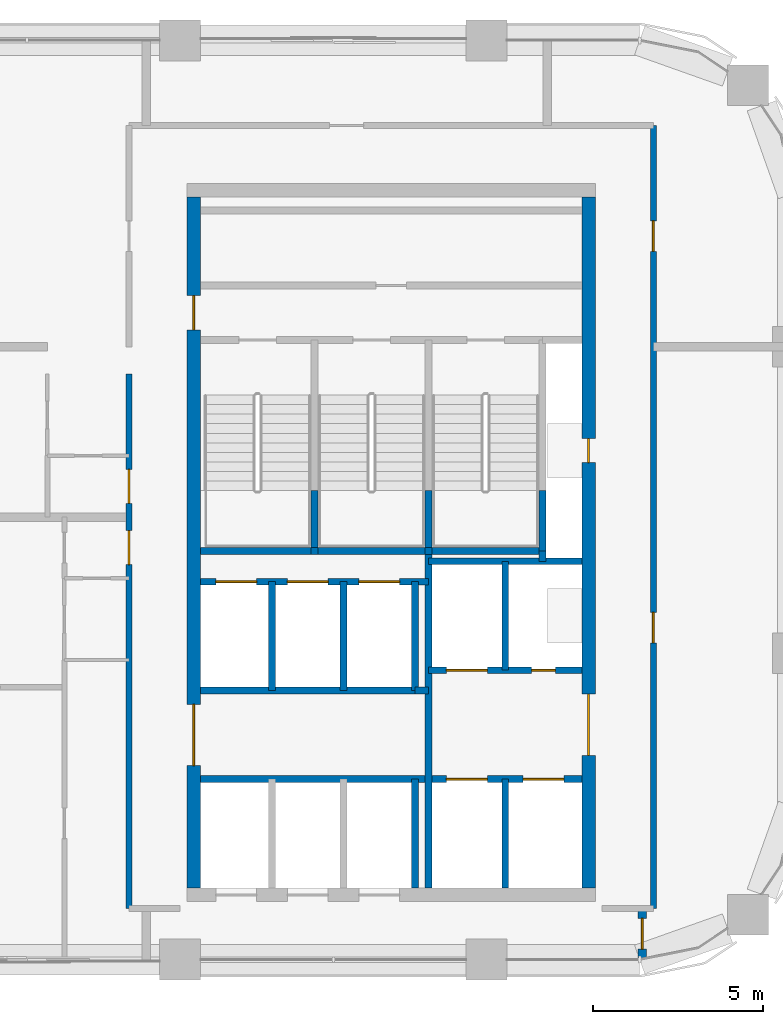
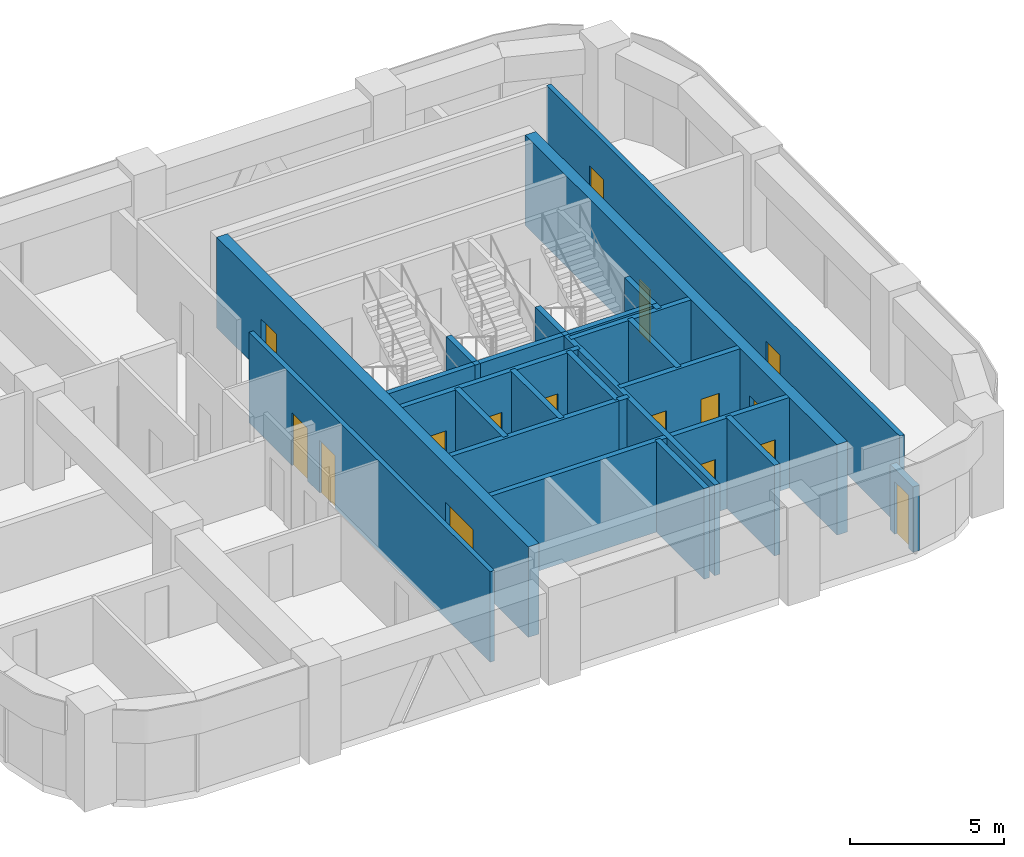
# One storey, part 8 of 10: 27 walls, 16 doors, 16 openings.
"""IFC4 building model written with IfcOpenShell, lengths in metres."""

from ifc_helpers import new_model, si_unit, direction, frame, frame_2d, origin, place, context, subcontext, project, spatial, rectangle, extrude, material, layer, layer_set, type_object, element, fill, save


model = new_model("IFC4")

# Units and contexts
model_context = context("Model", 3, precision=1e-05, world=origin(), true_north=direction((0.0, 1.0)))
body_context = subcontext(model_context, "Body", "Model", "MODEL_VIEW")
ifc_project = project(units=[si_unit("LENGTHUNIT", "METRE"), si_unit("AREAUNIT", "SQUARE_METRE"), si_unit("VOLUMEUNIT", "CUBIC_METRE"), si_unit("PLANEANGLEUNIT", "RADIAN"), si_unit("MASSUNIT", "GRAM", prefix="KILO")], contexts=[model_context])

# Site, building, storey
site_placement = place(None, origin())
site = spatial("IfcSite", under=ifc_project, at=site_placement, CompositionType="ELEMENT")
building_placement = place(site_placement, origin())
building = spatial("IfcBuilding", under=site, at=building_placement, Name="Tessera Arch", CompositionType="ELEMENT")
storey_placement = place(building_placement, frame((0.0, 0.0, 254.0)))
storey = spatial("IfcBuildingStorey", under=building, at=storey_placement, Name="L61", CompositionType="ELEMENT", Elevation=254.0)

# Wall
ifc_material_1 = material(Name="Gypsum board on steel stud", Category="steel")
ifc_layer_1 = layer(ifc_material_1, 0.125)
ifc_layer_set_1 = layer_set([ifc_layer_1], Name="Core partition 125 EI 60")
wall_type_1 = type_object("IfcWallType", Name="Core partition 125 EI 60", PredefinedType="PARTITIONING", material=ifc_layer_set_1)
wall_1_placement = place(storey_placement, frame((42.89990234375, 34.89990234375, 0.0), z_axis=(0.0, 0.0, 1.0), x_axis=(1.0, 0.0, 0.0)))
element("IfcWall", 1, at=wall_1_placement, inside=storey, type_object=wall_type_1, Name="L61 C1 partition wall 18", PredefinedType="PARTITIONING", context=body_context, shape_type="SweptSolid", body=[
    extrude(rectangle(XDim=0.400146484375, YDim=0.199951171875, at=frame_2d((0.2001953125, 0.0))), origin(), (0.0, 0.0, 1.0), 3.60009765625),
])

# Wall, openings, doors
ifc_material_2 = material(Name="Concrete C50/60", Category="concrete")
ifc_layer_2 = layer(ifc_material_2, 0.39990234375)
ifc_layer_set_2 = layer_set([ifc_layer_2], Name="Core shell wall 400 C50-60")
wall_type_2 = type_object("IfcWallType", Name="Core shell wall 400 C50-60", PredefinedType="SHEAR", material=ifc_layer_set_2)
wall_2_placement = place(storey_placement, frame((36.39990234375, 29.10009765625, 0.0), z_axis=(0.0, 0.0, 1.0), x_axis=(0.0, 1.0, 0.0)))
wall_2 = element("IfcWall", 2, at=wall_2_placement, inside=storey, type_object=wall_type_2, Name="L61 C1 core wall W", PredefinedType="SHEAR", context=body_context, shape_type="SweptSolid", body=[
    extrude(rectangle(XDim=20.2998046875, YDim=0.39990234375, at=frame_2d((10.14990234375, 0.0))), origin(), (0.0, 0.0, 1.0), 3.60009765625),
])
opening_1_placement = place(wall_2_placement, frame((3.60009765625, 0.0, 0.0)))
opening_1 = element("IfcOpeningElement", 3, at=opening_1_placement, cuts=wall_2, Name="Opening L61-C10", PredefinedType="OPENING", context=body_context, shape_type="SweptSolid", body=[
    extrude(rectangle(XDim=1.800048828125, YDim=2.10009765625, at=frame_2d((0.89990234375, 1.050048828125))), frame((0.0, 0.2099609375, 0.0), z_axis=(0.0, -1.0, 0.0), x_axis=(1.0, 0.0, 0.0)), (0.0, 0.0, 1.0), 0.419921875),
])
opening_2_placement = place(wall_2_placement, frame((16.39990234375, 0.0, 0.0)))
opening_2 = element("IfcOpeningElement", 4, at=opening_2_placement, cuts=wall_2, Name="Opening L61-C17", PredefinedType="OPENING", context=body_context, shape_type="SweptSolid", body=[
    extrude(rectangle(XDim=1.0, YDim=2.10009765625, at=frame_2d((0.5, 1.050048828125))), frame((0.0, 0.2099609375, 0.0), z_axis=(0.0, -1.0, 0.0), x_axis=(1.0, 0.0, 0.0)), (0.0, 0.0, 1.0), 0.419921875),
])
ifc_material_3 = material(Name="Steel door leaf", Category="steel")
door_type_1 = type_object("IfcDoorType", Name="Corridor door FD60 1000 x 2100", OperationType="SINGLE_SWING_LEFT", PredefinedType="DOOR", material=ifc_material_3)
door_1_placement = place(opening_2_placement, origin())
door_1 = element("IfcDoor", 5, at=door_1_placement, inside=storey, type_object=door_type_1, Name="L61 C1 door 17 C17 type D12", OperationType="SINGLE_SWING_RIGHT", OverallHeight=2.10009765625, OverallWidth=1.0, PredefinedType="DOOR", context=body_context, shape_type="SweptSolid", body=[
    extrude(rectangle(XDim=1.0, YDim=2.10009765625, at=frame_2d((0.5, 1.050048828125))), frame((0.0, 0.02490234375, 0.0), z_axis=(0.0, -1.0, 0.0), x_axis=(1.0, 0.0, 0.0)), (0.0, 0.0, 1.0), 0.050048828125),
])
fill(opening_2, door_1)
ifc_material_4 = material(Name="Glazed steel door leaf", Category="steel")
door_type_2 = type_object("IfcDoorType", Name="Lobby double door FD30S 1800 x 2100", OperationType="DOUBLE_DOOR_SINGLE_SWING", PredefinedType="DOOR", material=ifc_material_4)
door_2_placement = place(opening_1_placement, origin())
door_2 = element("IfcDoor", 6, at=door_2_placement, inside=storey, type_object=door_type_2, Name="L61 C1 door 10 C10 type D06", OperationType="DOUBLE_DOOR_SINGLE_SWING", OverallHeight=2.10009765625, OverallWidth=1.800048828125, PredefinedType="DOOR", context=body_context, shape_type="SweptSolid", body=[
    extrude(rectangle(XDim=1.800048828125, YDim=2.10009765625, at=frame_2d((0.89990234375, 1.050048828125))), frame((0.0, 0.02490234375, 0.0), z_axis=(0.0, -1.0, 0.0), x_axis=(1.0, 0.0, 0.0)), (0.0, 0.0, 1.0), 0.050048828125),
])
fill(opening_1, door_2)

wall_3_placement = place(storey_placement, frame((48.0, 29.10009765625, 0.0), z_axis=(0.0, 0.0, 1.0), x_axis=(0.0, 1.0, 0.0)))
wall_3 = element("IfcWall", 7, at=wall_3_placement, inside=storey, type_object=wall_type_2, Name="L61 C1 core wall E", PredefinedType="SHEAR", context=body_context, shape_type="SweptSolid", body=[
    extrude(rectangle(XDim=20.2998046875, YDim=0.39990234375, at=frame_2d((10.14990234375, 0.0))), origin(), (0.0, 0.0, 1.0), 3.60009765625),
])
opening_3_placement = place(wall_3_placement, frame((12.5, 0.0, 0.0)))
opening_3 = element("IfcOpeningElement", 8, at=opening_3_placement, cuts=wall_3, Name="Opening L61-C14", PredefinedType="OPENING", context=body_context, shape_type="SweptSolid", body=[
    extrude(rectangle(XDim=0.699951171875, YDim=2.10009765625, at=frame_2d((0.35009765625, 1.050048828125))), frame((0.0, 0.2099609375, 0.0), z_axis=(0.0, -1.0, 0.0), x_axis=(1.0, 0.0, 0.0)), (0.0, 0.0, 1.0), 0.419921875),
])
opening_4_placement = place(wall_3_placement, frame((3.89990234375, 0.0, 0.0)))
opening_4 = element("IfcOpeningElement", 9, at=opening_4_placement, cuts=wall_3, Name="Opening L61-C15", PredefinedType="OPENING", context=body_context, shape_type="SweptSolid", body=[
    extrude(rectangle(XDim=1.800048828125, YDim=2.10009765625, at=frame_2d((0.89990234375, 1.050048828125))), frame((0.0, 0.2099609375, 0.0), z_axis=(0.0, -1.0, 0.0), x_axis=(1.0, 0.0, 0.0)), (0.0, 0.0, 1.0), 0.419921875),
])
ifc_material_5 = material(Name="Glazed steel door leaf", Category="steel")
door_type_3 = type_object("IfcDoorType", Name="Lobby double door FD60 1800 x 2100", OperationType="DOUBLE_DOOR_SINGLE_SWING", PredefinedType="DOOR", material=ifc_material_5)
door_3_placement = place(opening_4_placement, origin())
door_3 = element("IfcDoor", 10, at=door_3_placement, inside=storey, type_object=door_type_3, Name="L61 C1 door 15 C15 type D19", OperationType="DOUBLE_DOOR_SINGLE_SWING", OverallHeight=2.10009765625, OverallWidth=1.800048828125, PredefinedType="DOOR", context=body_context, shape_type="SweptSolid", body=[
    extrude(rectangle(XDim=1.800048828125, YDim=2.10009765625, at=frame_2d((0.89990234375, 1.050048828125))), frame((0.0, 0.02490234375, 0.0), z_axis=(0.0, -1.0, 0.0), x_axis=(1.0, 0.0, 0.0)), (0.0, 0.0, 1.0), 0.050048828125),
])
fill(opening_4, door_3)
ifc_material_6 = material(Name="Steel door leaf", Category="steel")
door_type_4 = type_object("IfcDoorType", Name="Service shaft door FD60 700 x 2100", OperationType="SINGLE_SWING_LEFT", PredefinedType="DOOR", material=ifc_material_6)
door_4_placement = place(opening_3_placement, origin())
door_4 = element("IfcDoor", 11, at=door_4_placement, inside=storey, type_object=door_type_4, Name="L61 C1 door 14 C14 type D07", OperationType="SINGLE_SWING_RIGHT", OverallHeight=2.10009765625, OverallWidth=0.699951171875, PredefinedType="DOOR", context=body_context, shape_type="SweptSolid", body=[
    extrude(rectangle(XDim=0.699951171875, YDim=2.10009765625, at=frame_2d((0.35009765625, 1.050048828125))), frame((0.0, 0.02490234375, 0.0), z_axis=(0.0, -1.0, 0.0), x_axis=(1.0, 0.0, 0.0)), (0.0, 0.0, 1.0), 0.050048828125),
])
fill(opening_3, door_4)

ifc_material_7 = material(Name="Gypsum board on deep steel stud with mineral wool", Category="steel")
ifc_layer_3 = layer(ifc_material_7, 0.175048828125)
ifc_layer_set_3 = layer_set([ifc_layer_3], Name="Corridor wall 175 EI 60")
wall_type_3 = type_object("IfcWallType", Name="Corridor wall 175 EI 60", PredefinedType="PARTITIONING", material=ifc_layer_set_3)
wall_4_placement = place(storey_placement, frame((34.5, 28.5, 0.0), z_axis=(0.0, 0.0, 1.0), x_axis=(0.0, 1.0, 0.0)))
wall_4 = element("IfcWall", 12, at=wall_4_placement, inside=storey, type_object=wall_type_3, Name="L61 partition 4", PredefinedType="PARTITIONING", context=body_context, shape_type="SweptSolid", body=[
    extrude(rectangle(XDim=15.699951171875, YDim=0.175048828125, at=frame_2d((7.85009765625, 0.0))), origin(), (0.0, 0.0, 1.0), 3.60009765625),
])
opening_5_placement = place(wall_4_placement, frame((10.10009765625, 0.0, 0.0)))
opening_5 = element("IfcOpeningElement", 13, at=opening_5_placement, cuts=wall_4, Name="Opening L61-D001", PredefinedType="OPENING", context=body_context, shape_type="SweptSolid", body=[
    extrude(rectangle(XDim=1.0, YDim=2.10009765625, at=frame_2d((0.5, 1.050048828125))), frame((0.0, 0.097412109375, 0.0), z_axis=(0.0, -1.0, 0.0), x_axis=(1.0, 0.0, 0.0)), (0.0, 0.0, 1.0), 0.195068359375),
])
opening_6_placement = place(wall_4_placement, frame((11.89990234375, 0.0, 0.0)))
opening_6 = element("IfcOpeningElement", 14, at=opening_6_placement, cuts=wall_4, Name="Opening L61-D010", PredefinedType="OPENING", context=body_context, shape_type="SweptSolid", body=[
    extrude(rectangle(XDim=1.0, YDim=2.10009765625, at=frame_2d((0.5, 1.050048828125))), frame((0.0, 0.097412109375, 0.0), z_axis=(0.0, -1.0, 0.0), x_axis=(1.0, 0.0, 0.0)), (0.0, 0.0, 1.0), 0.195068359375),
])
ifc_material_8 = material(Name="Fire-rated door leaf")
door_type_5 = type_object("IfcDoorType", Name="Entrance door FD30S 1000 x 2100", OperationType="SINGLE_SWING_LEFT", PredefinedType="DOOR", material=ifc_material_8)
door_5_placement = place(opening_5_placement, origin())
door_5 = element("IfcDoor", 15, at=door_5_placement, inside=storey, type_object=door_type_5, Name="L61 door D001 type D03", OperationType="SINGLE_SWING_RIGHT", OverallHeight=2.10009765625, OverallWidth=1.0, PredefinedType="DOOR", context=body_context, shape_type="SweptSolid", body=[
    extrude(rectangle(XDim=1.0, YDim=2.10009765625, at=frame_2d((0.5, 1.050048828125))), frame((0.0, 0.02490234375, 0.0), z_axis=(0.0, -1.0, 0.0), x_axis=(1.0, 0.0, 0.0)), (0.0, 0.0, 1.0), 0.050048828125),
])
fill(opening_5, door_5)
door_6_placement = place(opening_6_placement, origin())
door_6 = element("IfcDoor", 16, at=door_6_placement, inside=storey, type_object=door_type_5, Name="L61 door D010 type D03", OperationType="SINGLE_SWING_RIGHT", OverallHeight=2.10009765625, OverallWidth=1.0, PredefinedType="DOOR", context=body_context, shape_type="SweptSolid", body=[
    extrude(rectangle(XDim=1.0, YDim=2.10009765625, at=frame_2d((0.5, 1.050048828125))), frame((0.0, 0.02490234375, 0.0), z_axis=(0.0, -1.0, 0.0), x_axis=(1.0, 0.0, 0.0)), (0.0, 0.0, 1.0), 0.050048828125),
])
fill(opening_6, door_6)

wall_5_placement = place(storey_placement, frame((49.89990234375, 28.5, 0.0), z_axis=(0.0, 0.0, 1.0), x_axis=(0.0, 1.0, 0.0)))
wall_5 = element("IfcWall", 17, at=wall_5_placement, inside=storey, type_object=wall_type_3, Name="L61 partition 6", PredefinedType="PARTITIONING", context=body_context, shape_type="SweptSolid", body=[
    extrude(rectangle(XDim=23.0, YDim=0.175048828125, at=frame_2d((11.5, 0.0))), origin(), (0.0, 0.0, 1.0), 3.60009765625),
])
opening_7_placement = place(wall_5_placement, frame((7.800048828125, 0.0, 0.0)))
opening_7 = element("IfcOpeningElement", 18, at=opening_7_placement, cuts=wall_5, Name="Opening L61-D009", PredefinedType="OPENING", context=body_context, shape_type="SweptSolid", body=[
    extrude(rectangle(XDim=0.89990234375, YDim=2.10009765625, at=frame_2d((0.449951171875, 1.050048828125))), frame((0.0, 0.097412109375, 0.0), z_axis=(0.0, -1.0, 0.0), x_axis=(1.0, 0.0, 0.0)), (0.0, 0.0, 1.0), 0.195068359375),
])
opening_8_placement = place(wall_5_placement, frame((19.300048828125, 0.0, 0.0)))
opening_8 = element("IfcOpeningElement", 19, at=opening_8_placement, cuts=wall_5, Name="Opening L61-D018", PredefinedType="OPENING", context=body_context, shape_type="SweptSolid", body=[
    extrude(rectangle(XDim=0.89990234375, YDim=2.10009765625, at=frame_2d((0.449951171875, 1.050048828125))), frame((0.0, 0.097412109375, 0.0), z_axis=(0.0, -1.0, 0.0), x_axis=(1.0, 0.0, 0.0)), (0.0, 0.0, 1.0), 0.195068359375),
])
ifc_material_9 = material(Name="Timber door leaf", Category="wood")
door_type_6 = type_object("IfcDoorType", Name="Room door 900 x 2100", OperationType="SINGLE_SWING_LEFT", PredefinedType="DOOR", material=ifc_material_9)
door_7_placement = place(opening_7_placement, origin())
door_7 = element("IfcDoor", 20, at=door_7_placement, inside=storey, type_object=door_type_6, Name="L61 door D009 type D01", OperationType="SINGLE_SWING_RIGHT", OverallHeight=2.10009765625, OverallWidth=0.89990234375, PredefinedType="DOOR", context=body_context, shape_type="SweptSolid", body=[
    extrude(rectangle(XDim=0.89990234375, YDim=2.10009765625, at=frame_2d((0.449951171875, 1.050048828125))), frame((0.0, 0.02490234375, 0.0), z_axis=(0.0, -1.0, 0.0), x_axis=(1.0, 0.0, 0.0)), (0.0, 0.0, 1.0), 0.050048828125),
])
fill(opening_7, door_7)
door_8_placement = place(opening_8_placement, origin())
door_8 = element("IfcDoor", 21, at=door_8_placement, inside=storey, type_object=door_type_6, Name="L61 door D018 type D01", OperationType="SINGLE_SWING_LEFT", OverallHeight=2.10009765625, OverallWidth=0.89990234375, PredefinedType="DOOR", context=body_context, shape_type="SweptSolid", body=[
    extrude(rectangle(XDim=0.89990234375, YDim=2.10009765625, at=frame_2d((0.449951171875, 1.050048828125))), frame((0.0, 0.02490234375, 0.0), z_axis=(0.0, -1.0, 0.0), x_axis=(1.0, 0.0, 0.0)), (0.0, 0.0, 1.0), 0.050048828125),
])
fill(opening_8, door_8)

# Wall, opening, door
ifc_material_10 = material(Name="Double gypsum board on twin steel stud with acoustic mineral wool", Category="steel")
ifc_layer_4 = layer(ifc_material_10, 0.25)
ifc_layer_set_4 = layer_set([ifc_layer_4], Name="Party wall 250 EI 60")
wall_type_4 = type_object("IfcWallType", Name="Party wall 250 EI 60", PredefinedType="PARTITIONING", material=ifc_layer_set_4)
wall_6_placement = place(storey_placement, frame((49.574951171875, 27.014892578125, 0.0), z_axis=(0.0, 0.0, 1.0), x_axis=(0.0, 1.0, 0.0)))
wall_6 = element("IfcWall", 22, at=wall_6_placement, inside=storey, type_object=wall_type_4, Name="L61 partition 24", PredefinedType="PARTITIONING", context=body_context, shape_type="SweptSolid", body=[
    extrude(rectangle(XDim=1.485107421875, YDim=0.25, at=frame_2d((0.74267578125, 0.0))), origin(), (0.0, 0.0, 1.0), 2.60009765625),
])
opening_9_placement = place(wall_6_placement, frame((0.29248046875, 0.0, 0.0)))
opening_9 = element("IfcOpeningElement", 23, at=opening_9_placement, cuts=wall_6, Name="Opening L61-D020", PredefinedType="OPENING", context=body_context, shape_type="SweptSolid", body=[
    extrude(rectangle(XDim=0.89990234375, YDim=2.10009765625, at=frame_2d((0.449951171875, 1.050048828125))), frame((0.0, 0.135009765625, 0.0), z_axis=(0.0, -1.0, 0.0), x_axis=(1.0, 0.0, 0.0)), (0.0, 0.0, 1.0), 0.27001953125),
])
door_9_placement = place(opening_9_placement, origin())
door_9 = element("IfcDoor", 24, at=door_9_placement, inside=storey, type_object=door_type_6, Name="L61 door D020 type D01", OperationType="SINGLE_SWING_RIGHT", OverallHeight=2.10009765625, OverallWidth=0.89990234375, PredefinedType="DOOR", context=body_context, shape_type="SweptSolid", body=[
    extrude(rectangle(XDim=0.89990234375, YDim=2.10009765625, at=frame_2d((0.449951171875, 1.050048828125))), frame((0.0, 0.02490234375, 0.0), z_axis=(0.0, -1.0, 0.0), x_axis=(1.0, 0.0, 0.0)), (0.0, 0.0, 1.0), 0.050048828125),
])
fill(opening_9, door_9)

# Walls
ifc_material_11 = material(Name="Concrete C40/50", Category="concrete")
ifc_layer_5 = layer(ifc_material_11, 0.199951171875)
ifc_layer_set_5 = layer_set([ifc_layer_5], Name="Shaft wall 200 EI 120")
wall_type_5 = type_object("IfcWallType", Name="Shaft wall 200 EI 120", PredefinedType="SOLIDWALL", material=ifc_layer_set_5)
for number, where, z_axis, x_axis, name in (
    (25, (38.699951171875, 34.89990234375, 0.0), (0.0, 0.0, 1.0), (0.0, 1.0, 0.0), "L61 C1 shaft wall 2"),
    (26, (40.800048828125, 34.89990234375, 0.0), (0.0, 0.0, 1.0), (0.0, 1.0, 0.0), "L61 C1 shaft wall 6"),
):
    element("IfcWall", number, at=place(storey_placement, frame(where, z_axis=z_axis, x_axis=x_axis)), inside=storey, type_object=wall_type_5, Name=name, PredefinedType="SOLIDWALL", context=body_context, shape_type="SweptSolid", body=[
        extrude(rectangle(XDim=3.2001953125, YDim=0.199951171875, at=frame_2d((1.60009765625, 0.0))), origin(), (0.0, 0.0, 1.0), 3.60009765625),
    ])
wall_7_placement = place(storey_placement, frame((42.89990234375, 29.10009765625, 0.0), z_axis=(0.0, 0.0, 1.0), x_axis=(0.0, 1.0, 0.0)))
element("IfcWall", 27, at=wall_7_placement, inside=storey, type_object=wall_type_5, Name="L61 C1 shaft wall 7", PredefinedType="SOLIDWALL", context=body_context, shape_type="SweptSolid", body=[
    extrude(rectangle(XDim=3.199951171875, YDim=0.199951171875, at=frame_2d((1.60009765625, 0.0))), origin(), (0.0, 0.0, 1.0), 3.60009765625),
])
wall_8_placement = place(storey_placement, frame((42.89990234375, 34.89990234375, 0.0), z_axis=(0.0, 0.0, 1.0), x_axis=(0.0, 1.0, 0.0)))
element("IfcWall", 28, at=wall_8_placement, inside=storey, type_object=wall_type_5, Name="L61 C1 shaft wall 8", PredefinedType="SOLIDWALL", context=body_context, shape_type="SweptSolid", body=[
    extrude(rectangle(XDim=3.2001953125, YDim=0.199951171875, at=frame_2d((1.60009765625, 0.0))), origin(), (0.0, 0.0, 1.0), 3.60009765625),
])
wall_9_placement = place(storey_placement, frame((43.300048828125, 29.10009765625, 0.0), z_axis=(0.0, 0.0, 1.0), x_axis=(0.0, 1.0, 0.0)))
element("IfcWall", 29, at=wall_9_placement, inside=storey, type_object=wall_type_5, Name="L61 C1 shaft wall 9", PredefinedType="SOLIDWALL", context=body_context, shape_type="SweptSolid", body=[
    extrude(rectangle(XDim=9.89990234375, YDim=0.199951171875, at=frame_2d((4.949951171875, 0.0))), origin(), (0.0, 0.0, 1.0), 3.60009765625),
])
for number, where, z_axis, x_axis, name in (
    (30, (45.550048828125, 29.10009765625, 0.0), (0.0, 0.0, 1.0), (0.0, 1.0, 0.0), "L61 C1 shaft wall 12"),
    (31, (45.550048828125, 35.5, 0.0), (0.0, 0.0, 1.0), (0.0, 1.0, 0.0), "L61 C1 shaft wall 13"),
):
    element("IfcWall", number, at=place(storey_placement, frame(where, z_axis=z_axis, x_axis=x_axis)), inside=storey, type_object=wall_type_5, Name=name, PredefinedType="SOLIDWALL", context=body_context, shape_type="SweptSolid", body=[
        extrude(rectangle(XDim=3.199951171875, YDim=0.199951171875, at=frame_2d((1.60009765625, 0.0))), origin(), (0.0, 0.0, 1.0), 3.60009765625),
    ])
wall_10_placement = place(storey_placement, frame((46.64990234375, 38.699951171875, 0.0), z_axis=(0.0, 0.0, 1.0), x_axis=(0.0, 1.0, 0.0)))
element("IfcWall", 32, at=wall_10_placement, inside=storey, type_object=wall_type_5, Name="L61 C1 shaft wall 14", PredefinedType="SOLIDWALL", context=body_context, shape_type="SweptSolid", body=[
    extrude(rectangle(XDim=0.300048828125, YDim=0.199951171875, at=frame_2d((0.14990234375, 0.0))), origin(), (0.0, 0.0, 1.0), 3.60009765625),
])

# Wall, openings, doors
wall_11_placement = place(storey_placement, frame((36.60009765625, 32.300048828125, 0.0), z_axis=(0.0, 0.0, 1.0), x_axis=(1.0, 0.0, 0.0)))
wall_11 = element("IfcWall", 33, at=wall_11_placement, inside=storey, type_object=wall_type_5, Name="L61 C1 shaft wall 17", PredefinedType="SOLIDWALL", context=body_context, shape_type="SweptSolid", body=[
    extrude(rectangle(XDim=11.199951171875, YDim=0.199951171875, at=frame_2d((5.60009765625, 0.0))), origin(), (0.0, 0.0, 1.0), 3.60009765625),
])
opening_10_placement = place(wall_11_placement, frame((7.22509765625, 0.0, 0.0)))
opening_10 = element("IfcOpeningElement", 34, at=opening_10_placement, cuts=wall_11, Name="Opening L61-C07", PredefinedType="OPENING", context=body_context, shape_type="SweptSolid", body=[
    extrude(rectangle(XDim=1.199951171875, YDim=2.10009765625, at=frame_2d((0.60009765625, 1.050048828125))), frame((0.0, 0.10986328125, 0.0), z_axis=(0.0, -1.0, 0.0), x_axis=(1.0, 0.0, 0.0)), (0.0, 0.0, 1.0), 0.219970703125),
])
opening_11_placement = place(wall_11_placement, frame((9.47509765625, 0.0, 0.0)))
opening_11 = element("IfcOpeningElement", 35, at=opening_11_placement, cuts=wall_11, Name="Opening L61-C08", PredefinedType="OPENING", context=body_context, shape_type="SweptSolid", body=[
    extrude(rectangle(XDim=1.199951171875, YDim=2.10009765625, at=frame_2d((0.60009765625, 1.050048828125))), frame((0.0, 0.10986328125, 0.0), z_axis=(0.0, -1.0, 0.0), x_axis=(1.0, 0.0, 0.0)), (0.0, 0.0, 1.0), 0.219970703125),
])
ifc_material_12 = material(Name="Stainless steel AISI 304", Category="steel")
door_type_7 = type_object("IfcDoorType", Name="Sliding landing door 1200 x 2100", OperationType="SLIDING_TO_LEFT", PredefinedType="DOOR", material=ifc_material_12)
door_10_placement = place(opening_10_placement, origin())
door_10 = element("IfcDoor", 36, at=door_10_placement, inside=storey, type_object=door_type_7, Name="L61 FF1 lift landing door C07 type LD", OperationType="SLIDING_TO_LEFT", OverallHeight=2.10009765625, OverallWidth=1.199951171875, PredefinedType="DOOR", context=body_context, shape_type="SweptSolid", body=[
    extrude(rectangle(XDim=1.199951171875, YDim=2.10009765625, at=frame_2d((0.60009765625, 1.050048828125))), frame((0.0, 0.02490234375, 0.0), z_axis=(0.0, -1.0, 0.0), x_axis=(1.0, 0.0, 0.0)), (0.0, 0.0, 1.0), 0.050048828125),
])
fill(opening_10, door_10)
door_11_placement = place(opening_11_placement, origin())
door_11 = element("IfcDoor", 37, at=door_11_placement, inside=storey, type_object=door_type_7, Name="L61 FF2 lift landing door C08 type LD", OperationType="SLIDING_TO_LEFT", OverallHeight=2.10009765625, OverallWidth=1.199951171875, PredefinedType="DOOR", context=body_context, shape_type="SweptSolid", body=[
    extrude(rectangle(XDim=1.199951171875, YDim=2.10009765625, at=frame_2d((0.60009765625, 1.050048828125))), frame((0.0, 0.02490234375, 0.0), z_axis=(0.0, -1.0, 0.0), x_axis=(1.0, 0.0, 0.0)), (0.0, 0.0, 1.0), 0.050048828125),
])
fill(opening_11, door_11)

# Wall
wall_12_placement = place(storey_placement, frame((36.60009765625, 34.89990234375, 0.0), z_axis=(0.0, 0.0, 1.0), x_axis=(1.0, 0.0, 0.0)))
element("IfcWall", 38, at=wall_12_placement, inside=storey, type_object=wall_type_5, Name="L61 C1 shaft wall 19", PredefinedType="SOLIDWALL", context=body_context, shape_type="SweptSolid", body=[
    extrude(rectangle(XDim=6.2998046875, YDim=0.199951171875, at=frame_2d((3.14990234375, 0.0))), origin(), (0.0, 0.0, 1.0), 3.60009765625),
])

# Wall, openings, doors
wall_13_placement = place(storey_placement, frame((43.300048828125, 35.5, 0.0), z_axis=(0.0, 0.0, 1.0), x_axis=(1.0, 0.0, 0.0)))
wall_13 = element("IfcWall", 39, at=wall_13_placement, inside=storey, type_object=wall_type_5, Name="L61 C1 shaft wall 20", PredefinedType="SOLIDWALL", context=body_context, shape_type="SweptSolid", body=[
    extrude(rectangle(XDim=4.5, YDim=0.199951171875, at=frame_2d((2.25, 0.0))), origin(), (0.0, 0.0, 1.0), 3.60009765625),
])
opening_12_placement = place(wall_13_placement, frame((0.52490234375, 0.0, 0.0)))
opening_12 = element("IfcOpeningElement", 40, at=opening_12_placement, cuts=wall_13, Name="Opening L61-C09", PredefinedType="OPENING", context=body_context, shape_type="SweptSolid", body=[
    extrude(rectangle(XDim=1.199951171875, YDim=2.10009765625, at=frame_2d((0.60009765625, 1.050048828125))), frame((0.0, 0.10986328125, 0.0), z_axis=(0.0, -1.0, 0.0), x_axis=(1.0, 0.0, 0.0)), (0.0, 0.0, 1.0), 0.219970703125),
])
opening_13_placement = place(wall_13_placement, frame((3.02490234375, 0.0, 0.0)))
opening_13 = element("IfcOpeningElement", 41, at=opening_13_placement, cuts=wall_13, Name="Opening L61-C16", PredefinedType="OPENING", context=body_context, shape_type="SweptSolid", body=[
    extrude(rectangle(XDim=0.699951171875, YDim=2.10009765625, at=frame_2d((0.35009765625, 1.050048828125))), frame((0.0, 0.10986328125, 0.0), z_axis=(0.0, -1.0, 0.0), x_axis=(1.0, 0.0, 0.0)), (0.0, 0.0, 1.0), 0.219970703125),
])
door_12_placement = place(opening_13_placement, origin())
door_12 = element("IfcDoor", 42, at=door_12_placement, inside=storey, type_object=door_type_4, Name="L61 C1 door 16 C16 type D07", OperationType="SINGLE_SWING_RIGHT", OverallHeight=2.10009765625, OverallWidth=0.699951171875, PredefinedType="DOOR", context=body_context, shape_type="SweptSolid", body=[
    extrude(rectangle(XDim=0.699951171875, YDim=2.10009765625, at=frame_2d((0.35009765625, 1.050048828125))), frame((0.0, 0.02490234375, 0.0), z_axis=(0.0, -1.0, 0.0), x_axis=(1.0, 0.0, 0.0)), (0.0, 0.0, 1.0), 0.050048828125),
])
fill(opening_13, door_12)
door_13_placement = place(opening_12_placement, origin())
door_13 = element("IfcDoor", 43, at=door_13_placement, inside=storey, type_object=door_type_7, Name="L61 SV2 lift landing door C09 type LD", OperationType="SLIDING_TO_LEFT", OverallHeight=2.10009765625, OverallWidth=1.199951171875, PredefinedType="DOOR", context=body_context, shape_type="SweptSolid", body=[
    extrude(rectangle(XDim=1.199951171875, YDim=2.10009765625, at=frame_2d((0.60009765625, 1.050048828125))), frame((0.0, 0.02490234375, 0.0), z_axis=(0.0, -1.0, 0.0), x_axis=(1.0, 0.0, 0.0)), (0.0, 0.0, 1.0), 0.050048828125),
])
fill(opening_12, door_13)

wall_14_placement = place(storey_placement, frame((36.60009765625, 38.10009765625, 0.0), z_axis=(0.0, 0.0, 1.0), x_axis=(1.0, 0.0, 0.0)))
wall_14 = element("IfcWall", 44, at=wall_14_placement, inside=storey, type_object=wall_type_5, Name="L61 C1 shaft wall 21", PredefinedType="SOLIDWALL", context=body_context, shape_type="SweptSolid", body=[
    extrude(rectangle(XDim=6.699951171875, YDim=0.199951171875, at=frame_2d((3.35009765625, 0.0))), origin(), (0.0, 0.0, 1.0), 3.60009765625),
])
opening_14_placement = place(wall_14_placement, frame((0.449951171875, 0.0, 0.0)))
opening_14 = element("IfcOpeningElement", 45, at=opening_14_placement, cuts=wall_14, Name="Opening L61-C02", PredefinedType="OPENING", context=body_context, shape_type="SweptSolid", body=[
    extrude(rectangle(XDim=1.199951171875, YDim=2.10009765625, at=frame_2d((0.60009765625, 1.050048828125))), frame((0.0, 0.10986328125, 0.0), z_axis=(0.0, -1.0, 0.0), x_axis=(1.0, 0.0, 0.0)), (0.0, 0.0, 1.0), 0.219970703125),
])
opening_15_placement = place(wall_14_placement, frame((2.550048828125, 0.0, 0.0)))
opening_15 = element("IfcOpeningElement", 46, at=opening_15_placement, cuts=wall_14, Name="Opening L61-C04", PredefinedType="OPENING", context=body_context, shape_type="SweptSolid", body=[
    extrude(rectangle(XDim=1.199951171875, YDim=2.10009765625, at=frame_2d((0.60009765625, 1.050048828125))), frame((0.0, 0.10986328125, 0.0), z_axis=(0.0, -1.0, 0.0), x_axis=(1.0, 0.0, 0.0)), (0.0, 0.0, 1.0), 0.219970703125),
])
opening_16_placement = place(wall_14_placement, frame((4.64990234375, 0.0, 0.0)))
opening_16 = element("IfcOpeningElement", 47, at=opening_16_placement, cuts=wall_14, Name="Opening L61-C06", PredefinedType="OPENING", context=body_context, shape_type="SweptSolid", body=[
    extrude(rectangle(XDim=1.199951171875, YDim=2.10009765625, at=frame_2d((0.60009765625, 1.050048828125))), frame((0.0, 0.10986328125, 0.0), z_axis=(0.0, -1.0, 0.0), x_axis=(1.0, 0.0, 0.0)), (0.0, 0.0, 1.0), 0.219970703125),
])
door_14_placement = place(opening_14_placement, origin())
door_14 = element("IfcDoor", 48, at=door_14_placement, inside=storey, type_object=door_type_7, Name="L61 HR4 lift landing door C02 type LD", OperationType="SLIDING_TO_LEFT", OverallHeight=2.10009765625, OverallWidth=1.199951171875, PredefinedType="DOOR", context=body_context, shape_type="SweptSolid", body=[
    extrude(rectangle(XDim=1.199951171875, YDim=2.10009765625, at=frame_2d((0.60009765625, 1.050048828125))), frame((0.0, 0.02490234375, 0.0), z_axis=(0.0, -1.0, 0.0), x_axis=(1.0, 0.0, 0.0)), (0.0, 0.0, 1.0), 0.050048828125),
])
fill(opening_14, door_14)
door_15_placement = place(opening_15_placement, origin())
door_15 = element("IfcDoor", 49, at=door_15_placement, inside=storey, type_object=door_type_7, Name="L61 HR5 lift landing door C04 type LD", OperationType="SLIDING_TO_LEFT", OverallHeight=2.10009765625, OverallWidth=1.199951171875, PredefinedType="DOOR", context=body_context, shape_type="SweptSolid", body=[
    extrude(rectangle(XDim=1.199951171875, YDim=2.10009765625, at=frame_2d((0.60009765625, 1.050048828125))), frame((0.0, 0.02490234375, 0.0), z_axis=(0.0, -1.0, 0.0), x_axis=(1.0, 0.0, 0.0)), (0.0, 0.0, 1.0), 0.050048828125),
])
fill(opening_15, door_15)
door_16_placement = place(opening_16_placement, origin())
door_16 = element("IfcDoor", 50, at=door_16_placement, inside=storey, type_object=door_type_7, Name="L61 HR6 lift landing door C06 type LD", OperationType="SLIDING_TO_LEFT", OverallHeight=2.10009765625, OverallWidth=1.199951171875, PredefinedType="DOOR", context=body_context, shape_type="SweptSolid", body=[
    extrude(rectangle(XDim=1.199951171875, YDim=2.10009765625, at=frame_2d((0.60009765625, 1.050048828125))), frame((0.0, 0.02490234375, 0.0), z_axis=(0.0, -1.0, 0.0), x_axis=(1.0, 0.0, 0.0)), (0.0, 0.0, 1.0), 0.050048828125),
])
fill(opening_16, door_16)

# Walls
wall_15_placement = place(storey_placement, frame((43.300048828125, 38.699951171875, 0.0), z_axis=(0.0, 0.0, 1.0), x_axis=(1.0, 0.0, 0.0)))
element("IfcWall", 51, at=wall_15_placement, inside=storey, type_object=wall_type_5, Name="L61 C1 shaft wall 22", PredefinedType="SOLIDWALL", context=body_context, shape_type="SweptSolid", body=[
    extrude(rectangle(XDim=4.5, YDim=0.199951171875, at=frame_2d((2.25, 0.0))), origin(), (0.0, 0.0, 1.0), 3.60009765625),
])
ifc_material_13 = material(Name="Concrete C40/50", Category="concrete")
ifc_layer_6 = layer(ifc_material_13, 0.199951171875)
ifc_layer_set_6 = layer_set([ifc_layer_6], Name="Stair well wall 200 REI 180")
wall_type_6 = type_object("IfcWallType", Name="Stair well wall 200 REI 180", PredefinedType="SOLIDWALL", material=ifc_layer_set_6)
for number, where, z_axis, x_axis, name in (
    (52, (39.949951171875, 39.0, 0.0), (0.0, 0.0, 1.0), (0.0, 1.0, 0.0), "L61 C1 shaft wall 3"),
    (53, (43.300048828125, 39.0, 0.0), (0.0, 0.0, 1.0), (0.0, 1.0, 0.0), "L61 C1 shaft wall 10"),
    (54, (46.64990234375, 39.0, 0.0), (0.0, 0.0, 1.0), (0.0, 1.0, 0.0), "L61 C1 shaft wall 15"),
):
    element("IfcWall", number, at=place(storey_placement, frame(where, z_axis=z_axis, x_axis=x_axis)), inside=storey, type_object=wall_type_6, Name=name, PredefinedType="SOLIDWALL", context=body_context, shape_type="SweptSolid", body=[
        extrude(rectangle(XDim=1.780029296875, YDim=0.199951171875, at=frame_2d((0.89013671875, 0.0))), origin(), (0.0, 0.0, 1.0), 3.60009765625),
    ])
wall_16_placement = place(storey_placement, frame((36.60009765625, 39.0, 0.0), z_axis=(0.0, 0.0, 1.0), x_axis=(1.0, 0.0, 0.0)))
element("IfcWall", 55, at=wall_16_placement, inside=storey, type_object=wall_type_6, Name="L61 C1 shaft wall 23", PredefinedType="SOLIDWALL", context=body_context, shape_type="SweptSolid", body=[
    extrude(rectangle(XDim=3.25, YDim=0.199951171875, at=frame_2d((1.625, 0.0))), origin(), (0.0, 0.0, 1.0), 3.60009765625),
])
wall_17_placement = place(storey_placement, frame((39.85009765625, 39.0, 0.0), z_axis=(0.0, 0.0, 1.0), x_axis=(1.0, 0.0, 0.0)))
element("IfcWall", 56, at=wall_17_placement, inside=storey, type_object=wall_type_6, Name="L61 C1 shaft wall 24", PredefinedType="SOLIDWALL", context=body_context, shape_type="SweptSolid", body=[
    extrude(rectangle(XDim=0.199951171875, YDim=0.199951171875, at=frame_2d((0.10009765625, 0.0))), origin(), (0.0, 0.0, 1.0), 3.60009765625),
])
wall_18_placement = place(storey_placement, frame((40.050048828125, 39.0, 0.0), z_axis=(0.0, 0.0, 1.0), x_axis=(1.0, 0.0, 0.0)))
element("IfcWall", 57, at=wall_18_placement, inside=storey, type_object=wall_type_6, Name="L61 C1 shaft wall 25", PredefinedType="SOLIDWALL", context=body_context, shape_type="SweptSolid", body=[
    extrude(rectangle(XDim=3.14990234375, YDim=0.199951171875, at=frame_2d((1.574951171875, 0.0))), origin(), (0.0, 0.0, 1.0), 3.60009765625),
])
wall_19_placement = place(storey_placement, frame((43.199951171875, 39.0, 0.0), z_axis=(0.0, 0.0, 1.0), x_axis=(1.0, 0.0, 0.0)))
element("IfcWall", 58, at=wall_19_placement, inside=storey, type_object=wall_type_6, Name="L61 C1 shaft wall 26", PredefinedType="SOLIDWALL", context=body_context, shape_type="SweptSolid", body=[
    extrude(rectangle(XDim=0.199951171875, YDim=0.199951171875, at=frame_2d((0.10009765625, 0.0))), origin(), (0.0, 0.0, 1.0), 3.60009765625),
])
wall_20_placement = place(storey_placement, frame((43.39990234375, 39.0, 0.0), z_axis=(0.0, 0.0, 1.0), x_axis=(1.0, 0.0, 0.0)))
element("IfcWall", 59, at=wall_20_placement, inside=storey, type_object=wall_type_6, Name="L61 C1 shaft wall 27", PredefinedType="SOLIDWALL", context=body_context, shape_type="SweptSolid", body=[
    extrude(rectangle(XDim=3.25, YDim=0.199951171875, at=frame_2d((1.625, 0.0))), origin(), (0.0, 0.0, 1.0), 3.60009765625),
])

save(model, "model.ifc")
